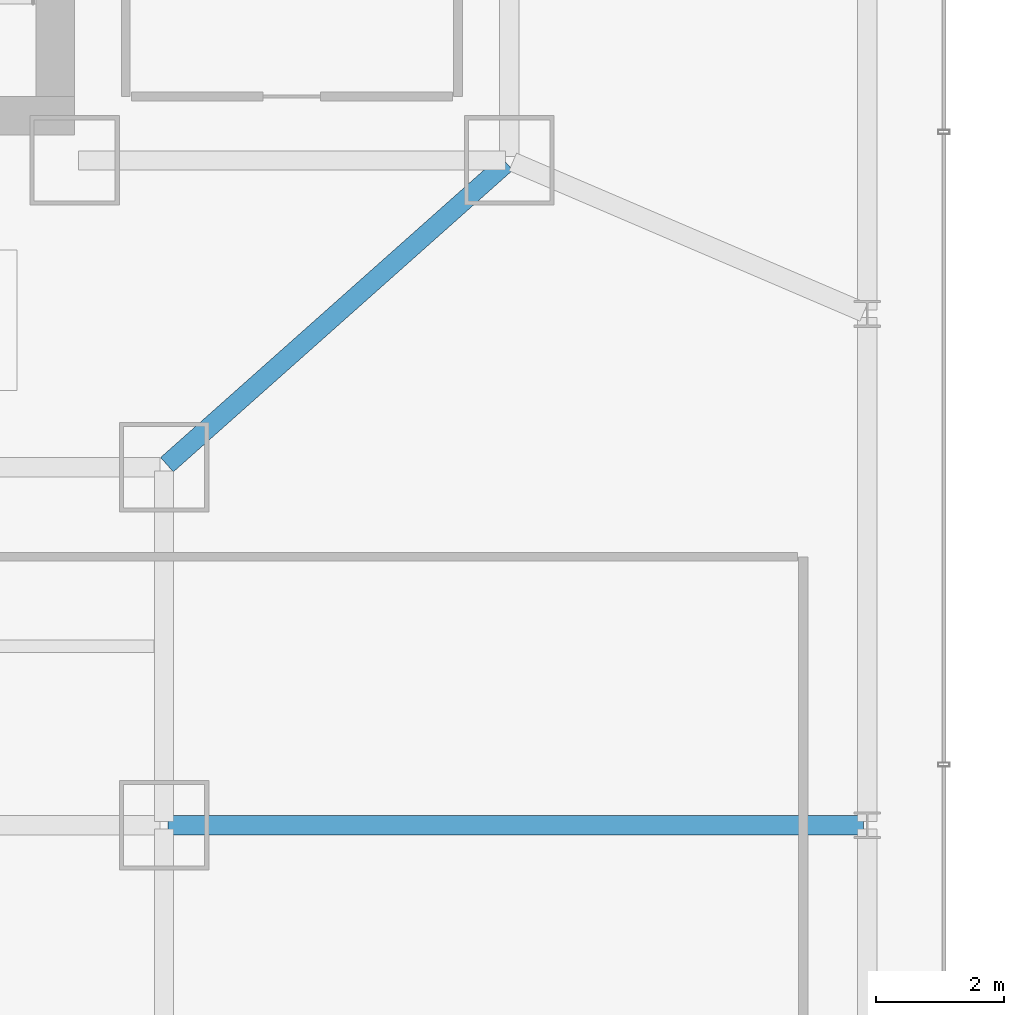
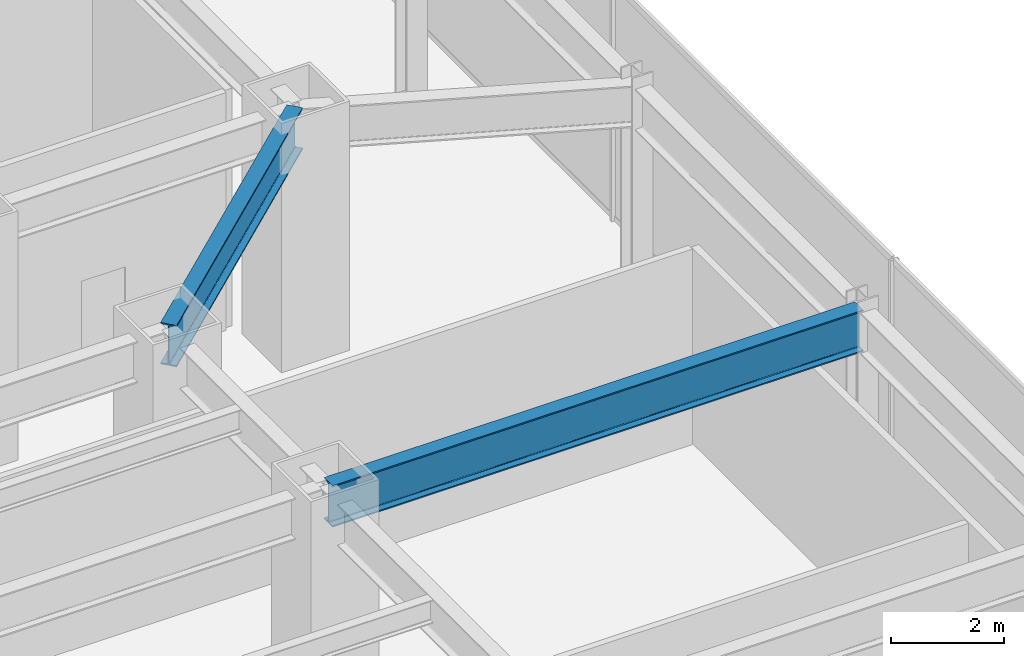
# One storey, part 27 of 53: 2 beams.
"""IFC4 building model written with IfcOpenShell, lengths in metres."""

from ifc_helpers import new_model, si_unit, direction, frame, origin, origin_2d, place, context, subcontext, project, spatial, i_section, extrude, material, material_profile, profile_set, type_object, element, save


model = new_model("IFC4")

# Units and contexts
model_context = context("Model", 3, precision=1e-05, world=origin(), true_north=direction((0.0, 1.0)))
body_context = subcontext(model_context, "Body", "Model", "MODEL_VIEW")
ifc_project = project(units=[si_unit("LENGTHUNIT", "METRE"), si_unit("AREAUNIT", "SQUARE_METRE"), si_unit("VOLUMEUNIT", "CUBIC_METRE"), si_unit("PLANEANGLEUNIT", "RADIAN"), si_unit("MASSUNIT", "GRAM", prefix="KILO")], contexts=[model_context])

# Site, building, storey
site_placement = place(None, origin())
site = spatial("IfcSite", under=ifc_project, at=site_placement, CompositionType="ELEMENT")
building_placement = place(site_placement, origin())
building = spatial("IfcBuilding", under=site, at=building_placement, Name="Saevonmaru Cultural Tower", CompositionType="ELEMENT")
storey_placement = place(building_placement, frame((0.0, 0.0, 22.199951171875)))
storey = spatial("IfcBuildingStorey", under=building, at=storey_placement, Name="L04", CompositionType="ELEMENT", Elevation=22.199951171875)

# Beams
ifc_material = material(Name="Steel SM420", Category="steel")
ifc_material_profile = material_profile(ifc_material, i_section(OverallWidth=0.300048828125, OverallDepth=0.89990234375, WebThickness=0.01611328125, FlangeThickness=0.028076171875, FilletRadius=0.028076171875, at=origin_2d()), Name="H-900x300x16x28")
ifc_profile_set = profile_set([ifc_material_profile], Name="Steel SM420")
beam_type = type_object("IfcBeamType", Name="BM-G-H900", PredefinedType="BEAM", material=ifc_profile_set)
beam_1_placement = place(storey_placement, frame((47.8447265625, 37.639892578125, 4.699951171875), z_axis=(0.74742827637, 0.664342510819, 0.0), x_axis=(-0.664342510819, 0.74742827637, 0.0)))
element("IfcBeam", 1, at=beam_1_placement, inside=storey, type_object=beam_type, Name="L04 Podium Girder NS4-6", PredefinedType="BEAM", context=body_context, shape_type="SweptSolid", body=[
    extrude(i_section(OverallWidth=0.300048828125, OverallDepth=0.89990234375, WebThickness=0.01611328125, FlangeThickness=0.028076171875, FilletRadius=0.028076171875, at=origin_2d()), origin(), (0.0, 0.0, 1.0), 7.10498046875),
])
beam_2_placement = place(storey_placement, frame((47.860107421875, 32.0, 4.699951171875), z_axis=(1.0, 0.0, 0.0), x_axis=(0.0, 1.0, 0.0)))
element("IfcBeam", 2, at=beam_2_placement, inside=storey, type_object=beam_type, Name="BM-POD-OE-4-L04", PredefinedType="BEAM", context=body_context, shape_type="SweptSolid", body=[
    extrude(i_section(OverallWidth=0.300048828125, OverallDepth=0.89990234375, WebThickness=0.01611328125, FlangeThickness=0.028076171875, FilletRadius=0.028076171875, at=origin_2d()), origin(), (0.0, 0.0, 1.0), 10.8798828125),
])

save(model, "model.ifc")
